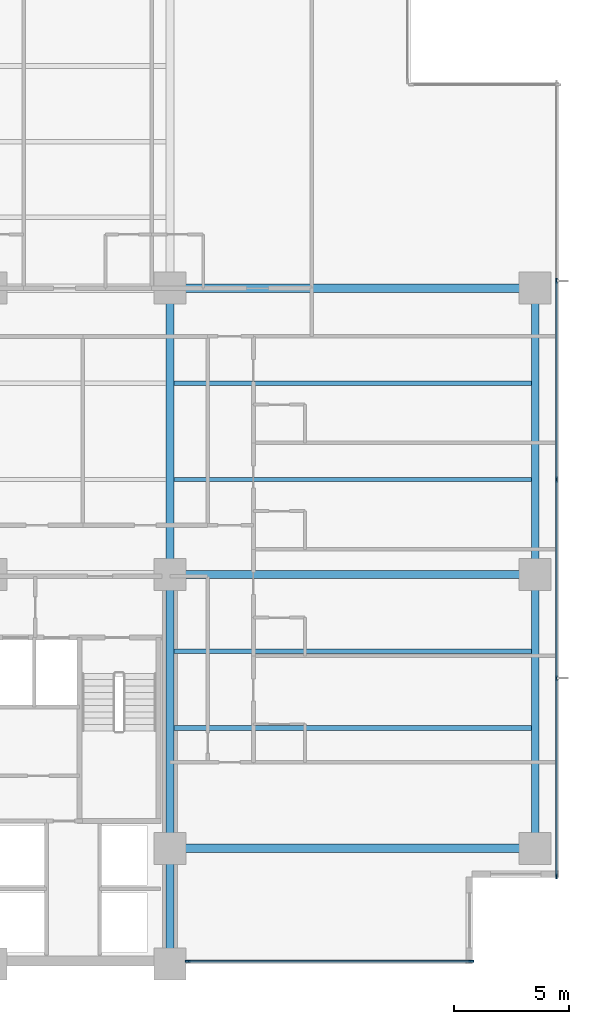
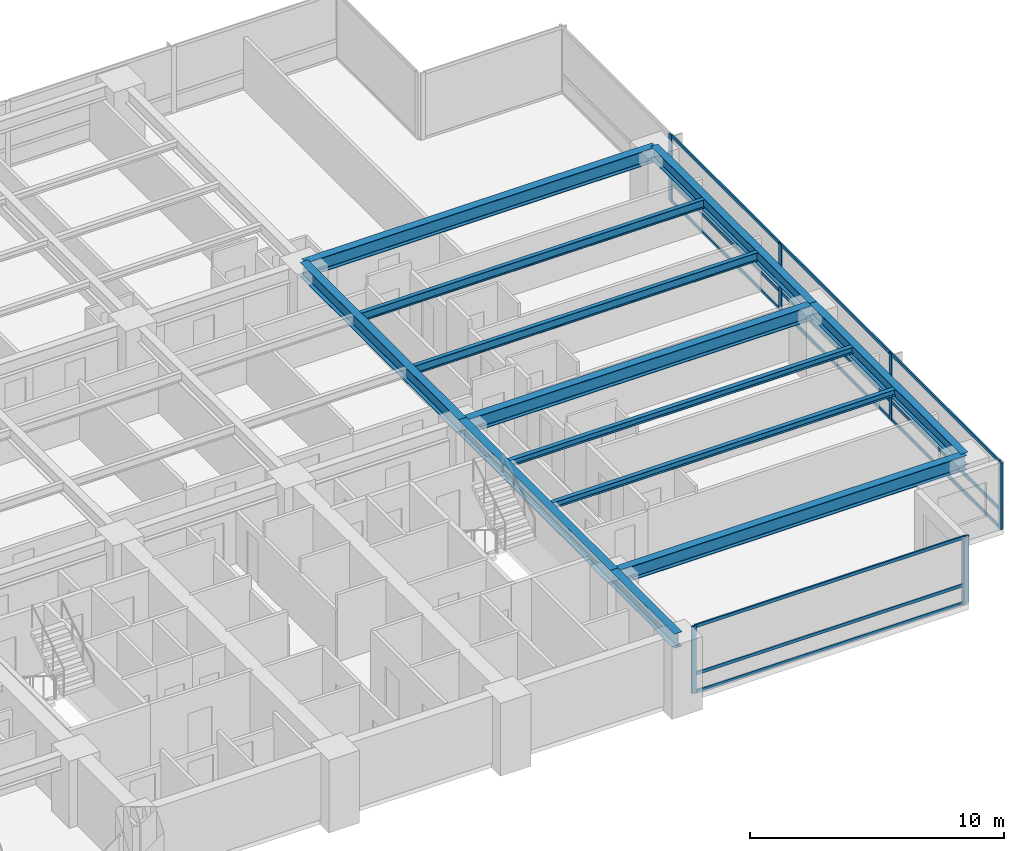
# One storey, part 3 of 16: 18 members, 12 beams, 2 elements without a shape of their own.
"""IFC4 building model written with IfcOpenShell, lengths in metres."""

import ifcopenshell
import ifcopenshell.guid

model = None  # the IFC model being written
_history = None  # IfcOwnerHistory: only IFC2X3 demands one
_inside = {}  # id of a spatial element -> (the spatial element, [elements in it])
_under = {}  # id of a project, library or spatial element -> (it, [spatial elements below it])
_declared = {}  # id of a project -> (the project, [libraries it declares])
_typed = {}  # id of a type object -> (the type object, [elements of that type])
_made_of = {}  # id of a material, layer set ... -> (it, [elements and type objects made of it])


def new_model(schema):
    """Start an empty IFC model of exactly this schema.

    Asked for "IFC4X3", IfcOpenShell would pick the latest addendum, in which some entities
    have other attributes; the version numbers below select the first issue.
    IFC2X3 requires an IfcOwnerHistory on every rooted entity: one is made here for all.
    """
    global model, _history
    if schema == "IFC4X3":
        model = ifcopenshell.file(schema_version=(4, 3, 0, 0))
    else:
        model = ifcopenshell.file(schema=schema)
    _inside.clear()
    _under.clear()
    _declared.clear()
    _typed.clear()
    _made_of.clear()
    _history = None
    if model.schema == "IFC2X3":
        org = make("IfcOrganization", Name="unknown")
        user = make(
            "IfcPersonAndOrganization",
            ThePerson=make("IfcPerson", FamilyName="unknown"),
            TheOrganization=org,
        )
        app = make(
            "IfcApplication",
            ApplicationDeveloper=org,
            Version="unknown",
            ApplicationFullName="unknown",
            ApplicationIdentifier="unknown",
        )
        _history = make(
            "IfcOwnerHistory",
            OwningUser=user,
            OwningApplication=app,
            ChangeAction="ADDED",
            CreationDate=0,
        )
    return model


def make(cls, **values):
    """One entity of the class cls with the attributes given. An attribute that is None is left unset."""
    return model.create_entity(
        cls, **{name: value for name, value in values.items() if value is not None}
    )


def rooted(cls, **values):
    """An entity with a GlobalId (a new one), such as an element, a storey or a relation."""
    return make(cls, GlobalId=ifcopenshell.guid.new(), OwnerHistory=_history, **values)


def si_unit(unit_type, name, prefix=None):
    """IfcSIUnit, for example si_unit("LENGTHUNIT", "METRE", prefix="MILLI")."""
    return make("IfcSIUnit", UnitType=unit_type, Prefix=prefix, Name=name)


def assignment(units):
    """IfcUnitAssignment: the units of a project."""
    return None if units is None else make("IfcUnitAssignment", Units=units)


def point(xyz):
    """IfcCartesianPoint."""
    return None if xyz is None else make("IfcCartesianPoint", Coordinates=xyz)


def direction(xyz):
    """IfcDirection."""
    return None if xyz is None else make("IfcDirection", DirectionRatios=xyz)


def frame(location, z_axis=None, x_axis=None):
    """IfcAxis2Placement3D, a coordinate frame: its origin and axes. An axis left out is left unset."""
    return make(
        "IfcAxis2Placement3D",
        Location=point(location),
        Axis=direction(z_axis),
        RefDirection=direction(x_axis),
    )


def frame_2d(location, x_axis=None):
    """IfcAxis2Placement2D, a coordinate frame in the plane: its origin and x axis."""
    return make(
        "IfcAxis2Placement2D", Location=point(location), RefDirection=direction(x_axis)
    )


def origin():
    """The frame at (0, 0, 0) with its axes left unset."""
    return frame((0.0, 0.0, 0.0))


def origin_2d():
    """The frame at (0, 0) in the plane with its x axis left unset."""
    return frame_2d((0.0, 0.0))


def place(relative_to, where):
    """IfcLocalPlacement: puts the frame where relative to a parent placement (None: the world)."""
    return make(
        "IfcLocalPlacement", PlacementRelTo=relative_to, RelativePlacement=where
    )


def context(
    kind, dimensions, precision=None, world=None, true_north=None, identifier=None
):
    """IfcGeometricRepresentationContext, for example the 3D "Model" context."""
    return make(
        "IfcGeometricRepresentationContext",
        ContextIdentifier=identifier,
        ContextType=kind,
        CoordinateSpaceDimension=dimensions,
        Precision=precision,
        WorldCoordinateSystem=world,
        TrueNorth=true_north,
    )


def subcontext(parent, identifier, kind, view, scale=None):
    """IfcGeometricRepresentationSubContext, for example "Body" below "Model"."""
    return make(
        "IfcGeometricRepresentationSubContext",
        ContextIdentifier=identifier,
        ContextType=kind,
        ParentContext=parent,
        TargetScale=scale,
        TargetView=view,
    )


def project(units=None, contexts=None):
    """IfcProject with its units and contexts."""
    return rooted(
        "IfcProject",
        Name="project",
        RepresentationContexts=contexts,
        UnitsInContext=assignment(units),
    )


def spatial(cls, under=None, at=None, **own):
    """A site, building, storey or space (cls), placed at a placement, below another one or the project."""
    s = rooted(cls, ObjectPlacement=at, **own)
    if under is not None:
        _under.setdefault(under.id(), (under, []))[1].append(s)
    return s


def profile(cls, at=None, kind="AREA", **sizes):
    """A parametric profile (cls). Its sizes go by their IFC names, for example OverallWidth=200.0."""
    return make(cls, ProfileType=kind, Position=at, **sizes)


def rectangle(**sizes):
    """IfcRectangleProfileDef."""
    return profile("IfcRectangleProfileDef", **sizes)


def i_section(**sizes):
    """IfcIShapeProfileDef."""
    return profile("IfcIShapeProfileDef", **sizes)


def extrude(swept, where, along, depth):
    """IfcExtrudedAreaSolid: the profile swept, set in the frame where, extruded along a direction by depth."""
    return make(
        "IfcExtrudedAreaSolid",
        SweptArea=swept,
        Position=where,
        ExtrudedDirection=direction(along),
        Depth=depth,
    )


def shape(context_of_items, identifier, shape_type, items):
    """IfcShapeRepresentation: the items that make up one representation, for example the "Body"."""
    return make(
        "IfcShapeRepresentation",
        ContextOfItems=context_of_items,
        RepresentationIdentifier=identifier,
        RepresentationType=shape_type,
        Items=items,
    )


def material(Name=None, Category=None):
    """IfcMaterial."""
    return make("IfcMaterial", Name=Name, Category=Category)


def layer(
    of_material, thickness, ventilated=None, Name=None, Category=None, Priority=None
):
    """IfcMaterialLayer: one layer of a wall or slab, of a material (None: an air gap)."""
    return make(
        "IfcMaterialLayer",
        Material=of_material,
        LayerThickness=thickness,
        IsVentilated=ventilated,
        Name=Name,
        Category=Category,
        Priority=Priority,
    )


def layer_set(layers, Name=None):
    """IfcMaterialLayerSet."""
    return make("IfcMaterialLayerSet", MaterialLayers=layers, LayerSetName=Name)


def material_profile(
    of_material, cross_section, Name=None, Category=None, Priority=None
):
    """IfcMaterialProfile: a cross section and its material."""
    return make(
        "IfcMaterialProfile",
        Name=Name,
        Material=of_material,
        Profile=cross_section,
        Priority=Priority,
        Category=Category,
    )


def profile_set(profiles, Name=None, composite=None):
    """IfcMaterialProfileSet."""
    return make(
        "IfcMaterialProfileSet",
        Name=Name,
        MaterialProfiles=profiles,
        CompositeProfile=composite,
    )


def made_of(thing, what):
    """Note that an element or type object is made of a material, layer set ...; save() writes the relation."""
    if what is not None:
        _made_of.setdefault(what.id(), (what, []))[1].append(thing)
    return thing


def type_object(cls, material=None, **own):
    """A type object (cls), such as IfcWallType, which elements share."""
    return made_of(rooted(cls, **own), material)


def element(
    cls,
    number,
    at=None,
    inside=None,
    cuts=None,
    type_object=None,
    material=None,
    context=None,
    identifier="Body",
    shape_type=None,
    held_by="IfcProductDefinitionShape",
    body=None,
    shapes=None,
    **own,
):
    """One element of the class cls, such as IfcWall. Its Tag is "e" and its number.

    at: its placement. inside: the storey or other place that contains it. cuts: it is an
    opening in that element (IfcRelVoidsElement). A single representation is given by context,
    identifier, shape_type and body (its items); several are given by shapes. held_by: the class
    of the entity that holds the representations. save() writes the other relations.
    """
    e = rooted(cls, Tag="e%d" % number, ObjectPlacement=at, **own)
    if body is not None:
        shapes = [shape(context, identifier, shape_type, body)]
    if shapes is not None:
        e.Representation = make(held_by, Representations=shapes)
    if inside is not None:
        _inside.setdefault(inside.id(), (inside, []))[1].append(e)
    if cuts is not None:
        rooted(
            "IfcRelVoidsElement", RelatingBuildingElement=cuts, RelatedOpeningElement=e
        )
    if type_object is not None:
        _typed.setdefault(type_object.id(), (type_object, []))[1].append(e)
    return made_of(e, material)


def aggregate(whole, parts):
    """IfcRelAggregates: a whole, such as a stair, and the parts it consists of."""
    return rooted("IfcRelAggregates", RelatingObject=whole, RelatedObjects=parts)


def save(model, path):
    """Write the relations noted so far, then the file.

    IfcRelAggregates (storeys below a building ...), IfcRelContainedInSpatialStructure (elements
    in a storey), IfcRelDefinesByType, IfcRelAssociatesMaterial and IfcRelDeclares: one each for
    every whole, place, type object, material and project.
    """
    for whole, parts in _under.values():
        aggregate(whole, parts)
    for where, things in _inside.values():
        rooted(
            "IfcRelContainedInSpatialStructure",
            RelatedElements=things,
            RelatingStructure=where,
        )
    for kind, things in _typed.values():
        rooted("IfcRelDefinesByType", RelatedObjects=things, RelatingType=kind)
    for what, things in _made_of.values():
        rooted("IfcRelAssociatesMaterial", RelatedObjects=things, RelatingMaterial=what)
    for by, libraries in _declared.values():
        rooted("IfcRelDeclares", RelatingContext=by, RelatedDefinitions=libraries)
    model.write(path)


model = new_model("IFC4")

# Units and contexts
model_context = context("Model", 3, precision=1e-05, world=origin(), true_north=direction((0.0, 1.0)))
body_context = subcontext(model_context, "Body", "Model", "MODEL_VIEW")
ifc_project = project(units=[si_unit("LENGTHUNIT", "METRE"), si_unit("AREAUNIT", "SQUARE_METRE"), si_unit("VOLUMEUNIT", "CUBIC_METRE"), si_unit("PLANEANGLEUNIT", "RADIAN"), si_unit("MASSUNIT", "GRAM", prefix="KILO")], contexts=[model_context])

# Site, building, storey
site_placement = place(None, origin())
site = spatial("IfcSite", under=ifc_project, at=site_placement, CompositionType="ELEMENT")
building_placement = place(site_placement, origin())
building = spatial("IfcBuilding", under=site, at=building_placement, Name="Qalmaran Belvedere Hotel", CompositionType="ELEMENT")
storey_placement = place(building_placement, frame((0.0, 0.0, 57.89990234375)))
storey = spatial("IfcBuildingStorey", under=building, at=storey_placement, Name="L14", CompositionType="ELEMENT", Elevation=57.89990234375)

# Beams
ifc_material_1 = material(Name="Steel S355JR", Category="steel")
ifc_material_profile_1 = material_profile(ifc_material_1, i_section(OverallWidth=0.202880859375, OverallDepth=0.302978515625, WebThickness=0.007568359375, FlangeThickness=0.01318359375, FilletRadius=0.012939453125, at=origin_2d()), Name="W310X60")
ifc_profile_set_1 = profile_set([ifc_material_profile_1], Name="Steel S355JR")
beam_type_1 = type_object("IfcBeamType", Name="BM-JST-W310X60", PredefinedType="JOIST", material=ifc_profile_set_1)
for number, where, z_axis, x_axis, name in (
    (1, (44.9755859375, 13.800048828125, 3.068603515625), (1.0, 0.0, 0.0), (0.0, 1.0, 0.0), "L14 East Wing Joist 039"),
    (2, (44.9755859375, 17.14990234375, 3.068603515625), (1.0, 0.0, 0.0), (0.0, 1.0, 0.0), "L14 East Wing Joist 041"),
):
    element("IfcBeam", number, at=place(storey_placement, frame(where, z_axis=z_axis, x_axis=x_axis)), inside=storey, type_object=beam_type_1, Name=name, PredefinedType="JOIST", context=body_context, shape_type="SweptSolid", body=[
        extrude(i_section(OverallWidth=0.202880859375, OverallDepth=0.302978515625, WebThickness=0.007568359375, FlangeThickness=0.01318359375, FilletRadius=0.012939453125, at=origin_2d()), origin(), (0.0, 0.0, 1.0), 15.61279296875),
    ])
ifc_material_profile_2 = material_profile(ifc_material_1, i_section(OverallWidth=0.180908203125, OverallDepth=0.4169921875, WebThickness=0.010986328125, FlangeThickness=0.018310546875, FilletRadius=0.014892578125, at=origin_2d()), Name="W410X85")
ifc_profile_set_2 = profile_set([ifc_material_profile_2], Name="Steel S355JR")
beam_type_2 = type_object("IfcBeamType", Name="BM-SB1-W410X85", PredefinedType="BEAM", material=ifc_profile_set_2)
for number, where, z_axis, x_axis, name in (
    (3, (44.9755859375, 24.64990234375, 3.01171875), (1.0, 0.0, 0.0), (0.0, 1.0, 0.0), "L14 East Secondary Beam 032"),
    (4, (44.9755859375, 28.85009765625, 3.01171875), (1.0, 0.0, 0.0), (0.0, 1.0, 0.0), "L14 East Secondary Beam 037"),
):
    element("IfcBeam", number, at=place(storey_placement, frame(where, z_axis=z_axis, x_axis=x_axis)), inside=storey, type_object=beam_type_2, Name=name, PredefinedType="BEAM", context=body_context, shape_type="SweptSolid", body=[
        extrude(i_section(OverallWidth=0.180908203125, OverallDepth=0.4169921875, WebThickness=0.010986328125, FlangeThickness=0.018310546875, FilletRadius=0.014892578125, at=origin_2d()), origin(), (0.0, 0.0, 1.0), 15.61279296875),
    ])
ifc_material_profile_3 = material_profile(ifc_material_1, i_section(OverallWidth=0.326904296875, OverallDepth=0.6220703125, WebThickness=0.015380859375, FlangeThickness=0.0244140625, FilletRadius=0.02001953125, at=origin_2d()), Name="W610X195")
ifc_profile_set_3 = profile_set([ifc_material_profile_3], Name="Steel S355JR")
beam_type_3 = type_object("IfcBeamType", Name="BM-SP1-W610X195", PredefinedType="SPANDREL", material=ifc_profile_set_3)
beam_1_placement = place(storey_placement, frame((60.75, 8.550048828125, 2.9091796875), z_axis=(0.0, 1.0, 0.0), x_axis=(-1.0, 0.0, 0.0)))
element("IfcBeam", 5, at=beam_1_placement, inside=storey, type_object=beam_type_3, Name="L14 Perimeter Spandrel 03", PredefinedType="SPANDREL", context=body_context, shape_type="SweptSolid", body=[
    extrude(i_section(OverallWidth=0.326904296875, OverallDepth=0.6220703125, WebThickness=0.015380859375, FlangeThickness=0.0244140625, FilletRadius=0.02001953125, at=origin_2d()), origin(), (0.0, 0.0, 1.0), 11.949951171875),
])
beam_2_placement = place(storey_placement, frame((60.75, 20.5, 2.9091796875), z_axis=(0.0, 1.0, 0.0), x_axis=(-1.0, 0.0, 0.0)))
element("IfcBeam", 6, at=beam_2_placement, inside=storey, type_object=beam_type_3, Name="L14 Perimeter Spandrel 04", PredefinedType="SPANDREL", context=body_context, shape_type="SweptSolid", body=[
    extrude(i_section(OverallWidth=0.326904296875, OverallDepth=0.6220703125, WebThickness=0.015380859375, FlangeThickness=0.0244140625, FilletRadius=0.02001953125, at=origin_2d()), origin(), (0.0, 0.0, 1.0), 12.5),
])
ifc_material_profile_4 = material_profile(ifc_material_1, i_section(OverallWidth=0.35498046875, OverallDepth=0.695068359375, WebThickness=0.015380859375, FlangeThickness=0.02490234375, FilletRadius=0.02197265625, at=origin_2d()), Name="W690X217")
ifc_profile_set_4 = profile_set([ifc_material_profile_4], Name="Steel S355JR")
beam_type_4 = type_object("IfcBeamType", Name="BM-Z1-W690X217", PredefinedType="USERDEFINED", material=ifc_profile_set_4)
beam_3_placement = place(storey_placement, frame((44.800048828125, 20.5, 2.87255859375), z_axis=(0.0, 1.0, 0.0), x_axis=(-1.0, 0.0, 0.0)))
element("IfcBeam", 7, at=beam_3_placement, inside=storey, type_object=beam_type_4, Name="L14 Mid-Plate N-S Girder 20", ObjectType="GIRDER", PredefinedType="USERDEFINED", context=body_context, shape_type="SweptSolid", body=[
    extrude(i_section(OverallWidth=0.35498046875, OverallDepth=0.695068359375, WebThickness=0.015380859375, FlangeThickness=0.02490234375, FilletRadius=0.02197265625, at=origin_2d()), origin(), (0.0, 0.0, 1.0), 12.5),
])
beam_4_placement = place(storey_placement, frame((44.800048828125, 3.5, 2.87255859375), z_axis=(0.0, 1.0, 0.0), x_axis=(-1.0, 0.0, 0.0)))
element("IfcBeam", 8, at=beam_4_placement, inside=storey, type_object=beam_type_4, Name="L14 East Core Edge Girder A", ObjectType="GIRDER", PredefinedType="USERDEFINED", context=body_context, shape_type="SweptSolid", body=[
    extrude(i_section(OverallWidth=0.35498046875, OverallDepth=0.695068359375, WebThickness=0.015380859375, FlangeThickness=0.02490234375, FilletRadius=0.02197265625, at=origin_2d()), origin(), (0.0, 0.0, 1.0), 5.050048828125),
])
beam_5_placement = place(storey_placement, frame((44.800048828125, 8.550048828125, 2.87255859375), z_axis=(0.0, 1.0, 0.0), x_axis=(-1.0, 0.0, 0.0)))
element("IfcBeam", 9, at=beam_5_placement, inside=storey, type_object=beam_type_4, Name="L14 East Core Edge Girder B", ObjectType="GIRDER", PredefinedType="USERDEFINED", context=body_context, shape_type="SweptSolid", body=[
    extrude(i_section(OverallWidth=0.35498046875, OverallDepth=0.695068359375, WebThickness=0.015380859375, FlangeThickness=0.02490234375, FilletRadius=0.02197265625, at=origin_2d()), origin(), (0.0, 0.0, 1.0), 11.949951171875),
])
for number, where, z_axis, x_axis, name in (
    (10, (44.800048828125, 8.550048828125, 2.87255859375), (1.0, 0.0, 0.0), (0.0, 1.0, 0.0), "L14 East Wing Girder 25"),
    (11, (44.800048828125, 20.5, 2.87255859375), (1.0, 0.0, 0.0), (0.0, 1.0, 0.0), "L14 East Wing Girder 26"),
    (12, (44.800048828125, 33.0, 2.87255859375), (1.0, 0.0, 0.0), (0.0, 1.0, 0.0), "L14 East Wing Girder 27"),
):
    element("IfcBeam", number, at=place(storey_placement, frame(where, z_axis=z_axis, x_axis=x_axis)), inside=storey, type_object=beam_type_4, Name=name, ObjectType="GIRDER", PredefinedType="USERDEFINED", context=body_context, shape_type="SweptSolid", body=[
        extrude(i_section(OverallWidth=0.35498046875, OverallDepth=0.695068359375, WebThickness=0.015380859375, FlangeThickness=0.02490234375, FilletRadius=0.02197265625, at=origin_2d()), origin(), (0.0, 0.0, 1.0), 15.949951171875),
    ])

# Curtain wall, members
ifc_material_2 = material(Name="Anodised Bronze Aluminium", Category="aluminium")
ifc_layer = layer(ifc_material_2, 0.2099609375, Name="Anodised Bronze Aluminium")
ifc_layer_set = layer_set([ifc_layer], Name="Anodised Bronze Aluminium")
curtain_wall_type = type_object("IfcCurtainWallType", Name="CW2-TOWER-LOWER", PredefinedType="NOTDEFINED", material=ifc_layer_set)
curtain_wall_1_placement = place(storey_placement, origin())
curtain_wall_1 = element("IfcCurtainWall", 13, at=curtain_wall_1_placement, inside=storey, type_object=curtain_wall_type, Name="L14 Curtain Wall CW2", PredefinedType="NOTDEFINED")
ifc_material_profile_5 = material_profile(ifc_material_2, rectangle(XDim=0.074951171875, YDim=0.219970703125, at=origin_2d()), Name="CWM75X220")
ifc_profile_set_5 = profile_set([ifc_material_profile_5], Name="Anodised Bronze Aluminium")
member_type_1 = type_object("IfcMemberType", Name="CWM-75X220", PredefinedType="MULLION", material=ifc_profile_set_5)
member_1_placement = place(storey_placement, frame((45.577392578125, 3.6201171875, 0.0), z_axis=(0.0, 0.0, 1.0), x_axis=(0.0, 1.0, 0.0)))
member_1 = element("IfcMember", 14, at=member_1_placement, type_object=member_type_1, Name="CW2 mullion 1", PredefinedType="MULLION", context=body_context, shape_type="SweptSolid", body=[
    extrude(rectangle(XDim=0.074951171875, YDim=0.219970703125, at=origin_2d()), origin(), (0.0, 0.0, 1.0), 3.22021484375),
])
member_2_placement = place(storey_placement, frame((57.96240234375, 3.6201171875, 0.0), z_axis=(0.0, 0.0, 1.0), x_axis=(0.0, 1.0, 0.0)))
member_2 = element("IfcMember", 15, at=member_2_placement, type_object=member_type_1, Name="CW2 mullion 2", PredefinedType="MULLION", context=body_context, shape_type="SweptSolid", body=[
    extrude(rectangle(XDim=0.074951171875, YDim=0.219970703125, at=origin_2d()), origin(), (0.0, 0.0, 1.0), 3.22021484375),
])

curtain_wall_2_placement = place(storey_placement, origin())
curtain_wall_2 = element("IfcCurtainWall", 16, at=curtain_wall_2_placement, inside=storey, type_object=curtain_wall_type, Name="L14 Curtain Wall CW2", PredefinedType="NOTDEFINED")
member_3_placement = place(storey_placement, frame((61.679931640625, 7.33740234375, 0.0), z_axis=(0.0, 0.0, 1.0), x_axis=(-1.0, 0.0, 0.0)))
member_3 = element("IfcMember", 17, at=member_3_placement, type_object=member_type_1, Name="CW2 mullion 1", PredefinedType="MULLION", context=body_context, shape_type="SweptSolid", body=[
    extrude(rectangle(XDim=0.074951171875, YDim=0.219970703125, at=origin_2d()), origin(), (0.0, 0.0, 1.0), 3.22021484375),
])
member_4_placement = place(storey_placement, frame((61.679931640625, 15.97509765625, 0.0), z_axis=(0.0, 0.0, 1.0), x_axis=(-1.0, 0.0, 0.0)))
member_4 = element("IfcMember", 18, at=member_4_placement, type_object=member_type_1, Name="CW2 mullion 2", PredefinedType="MULLION", context=body_context, shape_type="SweptSolid", body=[
    extrude(rectangle(XDim=0.074951171875, YDim=0.219970703125, at=origin_2d()), origin(), (0.0, 0.0, 1.0), 3.22021484375),
])
member_5_placement = place(storey_placement, frame((61.679931640625, 24.64990234375, 0.0), z_axis=(0.0, 0.0, 1.0), x_axis=(-1.0, 0.0, 0.0)))
member_5 = element("IfcMember", 19, at=member_5_placement, type_object=member_type_1, Name="CW2 mullion 3", PredefinedType="MULLION", context=body_context, shape_type="SweptSolid", body=[
    extrude(rectangle(XDim=0.074951171875, YDim=0.219970703125, at=origin_2d()), origin(), (0.0, 0.0, 1.0), 3.22021484375),
])
member_6_placement = place(storey_placement, frame((61.679931640625, 33.324951171875, 0.0), z_axis=(0.0, 0.0, 1.0), x_axis=(-1.0, 0.0, 0.0)))
member_6 = element("IfcMember", 20, at=member_6_placement, type_object=member_type_1, Name="CW2 mullion 4", PredefinedType="MULLION", context=body_context, shape_type="SweptSolid", body=[
    extrude(rectangle(XDim=0.074951171875, YDim=0.219970703125, at=origin_2d()), origin(), (0.0, 0.0, 1.0), 3.22021484375),
])

# Member
ifc_material_profile_6 = material_profile(ifc_material_2, rectangle(XDim=0.070068359375, YDim=0.14990234375, at=origin_2d()), Name="CWT70X150")
ifc_profile_set_6 = profile_set([ifc_material_profile_6], Name="Anodised Bronze Aluminium")
member_type_2 = type_object("IfcMemberType", Name="CWT-70X150", PredefinedType="USERDEFINED", material=ifc_profile_set_6)
member_7_placement = place(storey_placement, frame((45.614990234375, 3.6201171875, 0.03515625), z_axis=(1.0, 0.0, 0.0), x_axis=(0.0, 1.0, 0.0)))
member_7 = element("IfcMember", 21, at=member_7_placement, type_object=member_type_2, Name="CW2 transom 1.1", ObjectType="TRANSOM", PredefinedType="USERDEFINED", context=body_context, shape_type="SweptSolid", body=[
    extrude(rectangle(XDim=0.070068359375, YDim=0.14990234375, at=origin_2d()), origin(), (0.0, 0.0, 1.0), 12.31005859375),
])

member_8_placement = place(storey_placement, frame((45.614990234375, 3.6201171875, 0.901611328125), z_axis=(1.0, 0.0, 0.0), x_axis=(0.0, 1.0, 0.0)))
member_8 = element("IfcMember", 22, at=member_8_placement, type_object=member_type_2, Name="CW2 transom 1.2", ObjectType="TRANSOM", PredefinedType="USERDEFINED", context=body_context, shape_type="SweptSolid", body=[
    extrude(rectangle(XDim=0.070068359375, YDim=0.14990234375, at=origin_2d()), origin(), (0.0, 0.0, 1.0), 12.31005859375),
])

member_9_placement = place(storey_placement, frame((45.614990234375, 3.6201171875, 3.18505859375), z_axis=(1.0, 0.0, 0.0), x_axis=(0.0, 1.0, 0.0)))
member_9 = element("IfcMember", 23, at=member_9_placement, type_object=member_type_2, Name="CW2 transom 1.3", ObjectType="TRANSOM", PredefinedType="USERDEFINED", context=body_context, shape_type="SweptSolid", body=[
    extrude(rectangle(XDim=0.070068359375, YDim=0.14990234375, at=origin_2d()), origin(), (0.0, 0.0, 1.0), 12.31005859375),
])

aggregate(curtain_wall_1, [member_1, member_2, member_7, member_8, member_9])

member_10_placement = place(storey_placement, frame((61.679931640625, 7.375, 0.03515625), z_axis=(0.0, 1.0, 0.0), x_axis=(-1.0, 0.0, 0.0)))
member_10 = element("IfcMember", 24, at=member_10_placement, type_object=member_type_2, Name="CW2 transom 1.1", ObjectType="TRANSOM", PredefinedType="USERDEFINED", context=body_context, shape_type="SweptSolid", body=[
    extrude(rectangle(XDim=0.070068359375, YDim=0.14990234375, at=origin_2d()), origin(), (0.0, 0.0, 1.0), 8.5625),
])

member_11_placement = place(storey_placement, frame((61.679931640625, 7.375, 0.901611328125), z_axis=(0.0, 1.0, 0.0), x_axis=(-1.0, 0.0, 0.0)))
member_11 = element("IfcMember", 25, at=member_11_placement, type_object=member_type_2, Name="CW2 transom 1.2", ObjectType="TRANSOM", PredefinedType="USERDEFINED", context=body_context, shape_type="SweptSolid", body=[
    extrude(rectangle(XDim=0.070068359375, YDim=0.14990234375, at=origin_2d()), origin(), (0.0, 0.0, 1.0), 8.5625),
])

member_12_placement = place(storey_placement, frame((61.679931640625, 7.375, 3.18505859375), z_axis=(0.0, 1.0, 0.0), x_axis=(-1.0, 0.0, 0.0)))
member_12 = element("IfcMember", 26, at=member_12_placement, type_object=member_type_2, Name="CW2 transom 1.3", ObjectType="TRANSOM", PredefinedType="USERDEFINED", context=body_context, shape_type="SweptSolid", body=[
    extrude(rectangle(XDim=0.070068359375, YDim=0.14990234375, at=origin_2d()), origin(), (0.0, 0.0, 1.0), 8.5625),
])

member_13_placement = place(storey_placement, frame((61.679931640625, 16.012451171875, 0.03515625), z_axis=(0.0, 1.0, 0.0), x_axis=(-1.0, 0.0, 0.0)))
member_13 = element("IfcMember", 27, at=member_13_placement, type_object=member_type_2, Name="CW2 transom 2.1", ObjectType="TRANSOM", PredefinedType="USERDEFINED", context=body_context, shape_type="SweptSolid", body=[
    extrude(rectangle(XDim=0.070068359375, YDim=0.14990234375, at=origin_2d()), origin(), (0.0, 0.0, 1.0), 8.60009765625),
])

member_14_placement = place(storey_placement, frame((61.679931640625, 16.012451171875, 0.901611328125), z_axis=(0.0, 1.0, 0.0), x_axis=(-1.0, 0.0, 0.0)))
member_14 = element("IfcMember", 28, at=member_14_placement, type_object=member_type_2, Name="CW2 transom 2.2", ObjectType="TRANSOM", PredefinedType="USERDEFINED", context=body_context, shape_type="SweptSolid", body=[
    extrude(rectangle(XDim=0.070068359375, YDim=0.14990234375, at=origin_2d()), origin(), (0.0, 0.0, 1.0), 8.60009765625),
])

member_15_placement = place(storey_placement, frame((61.679931640625, 16.012451171875, 3.18505859375), z_axis=(0.0, 1.0, 0.0), x_axis=(-1.0, 0.0, 0.0)))
member_15 = element("IfcMember", 29, at=member_15_placement, type_object=member_type_2, Name="CW2 transom 2.3", ObjectType="TRANSOM", PredefinedType="USERDEFINED", context=body_context, shape_type="SweptSolid", body=[
    extrude(rectangle(XDim=0.070068359375, YDim=0.14990234375, at=origin_2d()), origin(), (0.0, 0.0, 1.0), 8.60009765625),
])

member_16_placement = place(storey_placement, frame((61.679931640625, 24.6875, 0.03515625), z_axis=(0.0, 1.0, 0.0), x_axis=(-1.0, 0.0, 0.0)))
member_16 = element("IfcMember", 30, at=member_16_placement, type_object=member_type_2, Name="CW2 transom 3.1", ObjectType="TRANSOM", PredefinedType="USERDEFINED", context=body_context, shape_type="SweptSolid", body=[
    extrude(rectangle(XDim=0.070068359375, YDim=0.14990234375, at=origin_2d()), origin(), (0.0, 0.0, 1.0), 8.60009765625),
])

member_17_placement = place(storey_placement, frame((61.679931640625, 24.6875, 0.901611328125), z_axis=(0.0, 1.0, 0.0), x_axis=(-1.0, 0.0, 0.0)))
member_17 = element("IfcMember", 31, at=member_17_placement, type_object=member_type_2, Name="CW2 transom 3.2", ObjectType="TRANSOM", PredefinedType="USERDEFINED", context=body_context, shape_type="SweptSolid", body=[
    extrude(rectangle(XDim=0.070068359375, YDim=0.14990234375, at=origin_2d()), origin(), (0.0, 0.0, 1.0), 8.60009765625),
])

member_18_placement = place(storey_placement, frame((61.679931640625, 24.6875, 3.18505859375), z_axis=(0.0, 1.0, 0.0), x_axis=(-1.0, 0.0, 0.0)))
member_18 = element("IfcMember", 32, at=member_18_placement, type_object=member_type_2, Name="CW2 transom 3.3", ObjectType="TRANSOM", PredefinedType="USERDEFINED", context=body_context, shape_type="SweptSolid", body=[
    extrude(rectangle(XDim=0.070068359375, YDim=0.14990234375, at=origin_2d()), origin(), (0.0, 0.0, 1.0), 8.60009765625),
])

aggregate(curtain_wall_2, [member_3, member_4, member_5, member_6, member_10, member_11, member_12, member_13, member_14, member_15, member_16, member_17, member_18])

save(model, "model.ifc")
